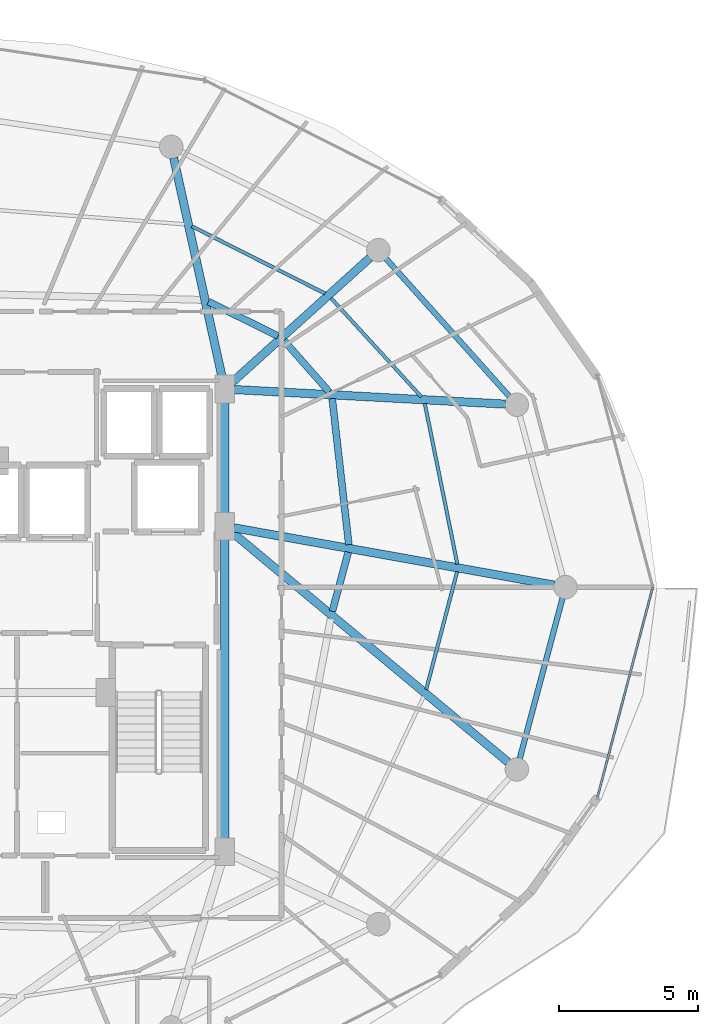
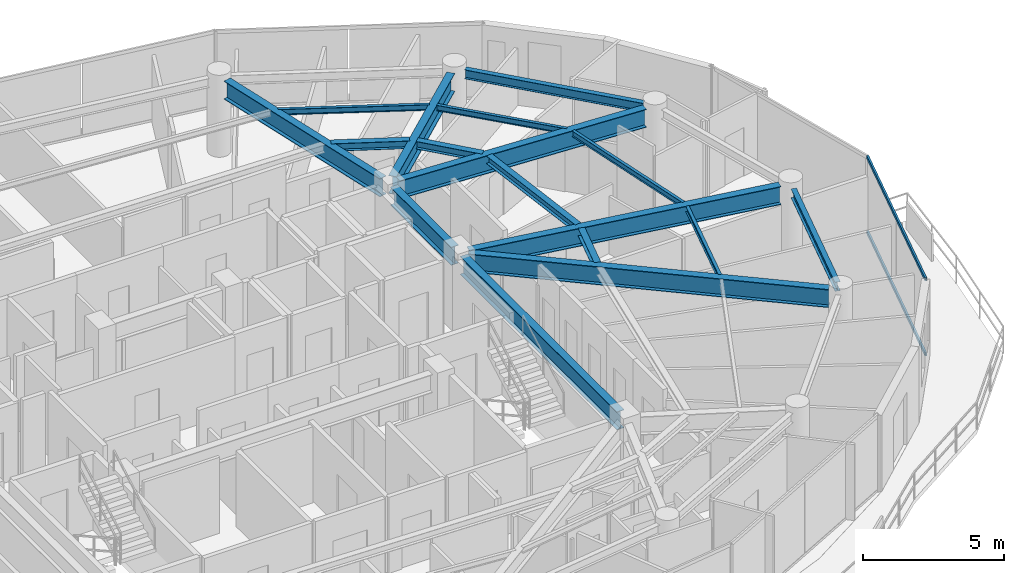
# One storey, part 13 of 29: 17 beams, 2 members, 1 element without a shape of its own.
"""IFC4 building model written with IfcOpenShell, lengths in metres."""

import ifcopenshell
import ifcopenshell.guid

model = None  # the IFC model being written
_history = None  # IfcOwnerHistory: only IFC2X3 demands one
_inside = {}  # id of a spatial element -> (the spatial element, [elements in it])
_under = {}  # id of a project, library or spatial element -> (it, [spatial elements below it])
_declared = {}  # id of a project -> (the project, [libraries it declares])
_typed = {}  # id of a type object -> (the type object, [elements of that type])
_made_of = {}  # id of a material, layer set ... -> (it, [elements and type objects made of it])


def new_model(schema):
    """Start an empty IFC model of exactly this schema.

    Asked for "IFC4X3", IfcOpenShell would pick the latest addendum, in which some entities
    have other attributes; the version numbers below select the first issue.
    IFC2X3 requires an IfcOwnerHistory on every rooted entity: one is made here for all.
    """
    global model, _history
    if schema == "IFC4X3":
        model = ifcopenshell.file(schema_version=(4, 3, 0, 0))
    else:
        model = ifcopenshell.file(schema=schema)
    _inside.clear()
    _under.clear()
    _declared.clear()
    _typed.clear()
    _made_of.clear()
    _history = None
    if model.schema == "IFC2X3":
        org = make("IfcOrganization", Name="unknown")
        user = make(
            "IfcPersonAndOrganization",
            ThePerson=make("IfcPerson", FamilyName="unknown"),
            TheOrganization=org,
        )
        app = make(
            "IfcApplication",
            ApplicationDeveloper=org,
            Version="unknown",
            ApplicationFullName="unknown",
            ApplicationIdentifier="unknown",
        )
        _history = make(
            "IfcOwnerHistory",
            OwningUser=user,
            OwningApplication=app,
            ChangeAction="ADDED",
            CreationDate=0,
        )
    return model


def make(cls, **values):
    """One entity of the class cls with the attributes given. An attribute that is None is left unset."""
    return model.create_entity(
        cls, **{name: value for name, value in values.items() if value is not None}
    )


def rooted(cls, **values):
    """An entity with a GlobalId (a new one), such as an element, a storey or a relation."""
    return make(cls, GlobalId=ifcopenshell.guid.new(), OwnerHistory=_history, **values)


def si_unit(unit_type, name, prefix=None):
    """IfcSIUnit, for example si_unit("LENGTHUNIT", "METRE", prefix="MILLI")."""
    return make("IfcSIUnit", UnitType=unit_type, Prefix=prefix, Name=name)


def assignment(units):
    """IfcUnitAssignment: the units of a project."""
    return None if units is None else make("IfcUnitAssignment", Units=units)


def point(xyz):
    """IfcCartesianPoint."""
    return None if xyz is None else make("IfcCartesianPoint", Coordinates=xyz)


def direction(xyz):
    """IfcDirection."""
    return None if xyz is None else make("IfcDirection", DirectionRatios=xyz)


def frame(location, z_axis=None, x_axis=None):
    """IfcAxis2Placement3D, a coordinate frame: its origin and axes. An axis left out is left unset."""
    return make(
        "IfcAxis2Placement3D",
        Location=point(location),
        Axis=direction(z_axis),
        RefDirection=direction(x_axis),
    )


def frame_2d(location, x_axis=None):
    """IfcAxis2Placement2D, a coordinate frame in the plane: its origin and x axis."""
    return make(
        "IfcAxis2Placement2D", Location=point(location), RefDirection=direction(x_axis)
    )


def origin():
    """The frame at (0, 0, 0) with its axes left unset."""
    return frame((0.0, 0.0, 0.0))


def origin_2d():
    """The frame at (0, 0) in the plane with its x axis left unset."""
    return frame_2d((0.0, 0.0))


def place(relative_to, where):
    """IfcLocalPlacement: puts the frame where relative to a parent placement (None: the world)."""
    return make(
        "IfcLocalPlacement", PlacementRelTo=relative_to, RelativePlacement=where
    )


def context(
    kind, dimensions, precision=None, world=None, true_north=None, identifier=None
):
    """IfcGeometricRepresentationContext, for example the 3D "Model" context."""
    return make(
        "IfcGeometricRepresentationContext",
        ContextIdentifier=identifier,
        ContextType=kind,
        CoordinateSpaceDimension=dimensions,
        Precision=precision,
        WorldCoordinateSystem=world,
        TrueNorth=true_north,
    )


def subcontext(parent, identifier, kind, view, scale=None):
    """IfcGeometricRepresentationSubContext, for example "Body" below "Model"."""
    return make(
        "IfcGeometricRepresentationSubContext",
        ContextIdentifier=identifier,
        ContextType=kind,
        ParentContext=parent,
        TargetScale=scale,
        TargetView=view,
    )


def project(units=None, contexts=None):
    """IfcProject with its units and contexts."""
    return rooted(
        "IfcProject",
        Name="project",
        RepresentationContexts=contexts,
        UnitsInContext=assignment(units),
    )


def spatial(cls, under=None, at=None, **own):
    """A site, building, storey or space (cls), placed at a placement, below another one or the project."""
    s = rooted(cls, ObjectPlacement=at, **own)
    if under is not None:
        _under.setdefault(under.id(), (under, []))[1].append(s)
    return s


def profile(cls, at=None, kind="AREA", **sizes):
    """A parametric profile (cls). Its sizes go by their IFC names, for example OverallWidth=200.0."""
    return make(cls, ProfileType=kind, Position=at, **sizes)


def hollow_rectangle(**sizes):
    """IfcRectangleHollowProfileDef."""
    return profile("IfcRectangleHollowProfileDef", **sizes)


def i_section(**sizes):
    """IfcIShapeProfileDef."""
    return profile("IfcIShapeProfileDef", **sizes)


def extrude(swept, where, along, depth):
    """IfcExtrudedAreaSolid: the profile swept, set in the frame where, extruded along a direction by depth."""
    return make(
        "IfcExtrudedAreaSolid",
        SweptArea=swept,
        Position=where,
        ExtrudedDirection=direction(along),
        Depth=depth,
    )


def shape(context_of_items, identifier, shape_type, items):
    """IfcShapeRepresentation: the items that make up one representation, for example the "Body"."""
    return make(
        "IfcShapeRepresentation",
        ContextOfItems=context_of_items,
        RepresentationIdentifier=identifier,
        RepresentationType=shape_type,
        Items=items,
    )


def material(Name=None, Category=None):
    """IfcMaterial."""
    return make("IfcMaterial", Name=Name, Category=Category)


def material_profile(
    of_material, cross_section, Name=None, Category=None, Priority=None
):
    """IfcMaterialProfile: a cross section and its material."""
    return make(
        "IfcMaterialProfile",
        Name=Name,
        Material=of_material,
        Profile=cross_section,
        Priority=Priority,
        Category=Category,
    )


def profile_set(profiles, Name=None, composite=None):
    """IfcMaterialProfileSet."""
    return make(
        "IfcMaterialProfileSet",
        Name=Name,
        MaterialProfiles=profiles,
        CompositeProfile=composite,
    )


def made_of(thing, what):
    """Note that an element or type object is made of a material, layer set ...; save() writes the relation."""
    if what is not None:
        _made_of.setdefault(what.id(), (what, []))[1].append(thing)
    return thing


def type_object(cls, material=None, **own):
    """A type object (cls), such as IfcWallType, which elements share."""
    return made_of(rooted(cls, **own), material)


def element(
    cls,
    number,
    at=None,
    inside=None,
    cuts=None,
    type_object=None,
    material=None,
    context=None,
    identifier="Body",
    shape_type=None,
    held_by="IfcProductDefinitionShape",
    body=None,
    shapes=None,
    **own,
):
    """One element of the class cls, such as IfcWall. Its Tag is "e" and its number.

    at: its placement. inside: the storey or other place that contains it. cuts: it is an
    opening in that element (IfcRelVoidsElement). A single representation is given by context,
    identifier, shape_type and body (its items); several are given by shapes. held_by: the class
    of the entity that holds the representations. save() writes the other relations.
    """
    e = rooted(cls, Tag="e%d" % number, ObjectPlacement=at, **own)
    if body is not None:
        shapes = [shape(context, identifier, shape_type, body)]
    if shapes is not None:
        e.Representation = make(held_by, Representations=shapes)
    if inside is not None:
        _inside.setdefault(inside.id(), (inside, []))[1].append(e)
    if cuts is not None:
        rooted(
            "IfcRelVoidsElement", RelatingBuildingElement=cuts, RelatedOpeningElement=e
        )
    if type_object is not None:
        _typed.setdefault(type_object.id(), (type_object, []))[1].append(e)
    return made_of(e, material)


def aggregate(whole, parts):
    """IfcRelAggregates: a whole, such as a stair, and the parts it consists of."""
    return rooted("IfcRelAggregates", RelatingObject=whole, RelatedObjects=parts)


def save(model, path):
    """Write the relations noted so far, then the file.

    IfcRelAggregates (storeys below a building ...), IfcRelContainedInSpatialStructure (elements
    in a storey), IfcRelDefinesByType, IfcRelAssociatesMaterial and IfcRelDeclares: one each for
    every whole, place, type object, material and project.
    """
    for whole, parts in _under.values():
        aggregate(whole, parts)
    for where, things in _inside.values():
        rooted(
            "IfcRelContainedInSpatialStructure",
            RelatedElements=things,
            RelatingStructure=where,
        )
    for kind, things in _typed.values():
        rooted("IfcRelDefinesByType", RelatedObjects=things, RelatingType=kind)
    for what, things in _made_of.values():
        rooted("IfcRelAssociatesMaterial", RelatedObjects=things, RelatingMaterial=what)
    for by, libraries in _declared.values():
        rooted("IfcRelDeclares", RelatingContext=by, RelatedDefinitions=libraries)
    model.write(path)


model = new_model("IFC4")

# Units and contexts
model_context = context("Model", 3, precision=1e-05, world=origin(), true_north=direction((0.0, 1.0)))
body_context = subcontext(model_context, "Body", "Model", "MODEL_VIEW")
ifc_project = project(units=[si_unit("LENGTHUNIT", "METRE"), si_unit("AREAUNIT", "SQUARE_METRE"), si_unit("VOLUMEUNIT", "CUBIC_METRE"), si_unit("PLANEANGLEUNIT", "RADIAN"), si_unit("MASSUNIT", "GRAM", prefix="KILO")], contexts=[model_context])

# Site, building, storey
site_placement = place(None, origin())
site = spatial("IfcSite", under=ifc_project, at=site_placement, CompositionType="ELEMENT")
building_placement = place(site_placement, origin())
building = spatial("IfcBuilding", under=site, at=building_placement, Name="Vorneva Point Tower", CompositionType="ELEMENT")
storey_placement = place(building_placement, frame((0.0, 0.0, 255.550048828125)))
storey = spatial("IfcBuildingStorey", under=building, at=storey_placement, Name="L69", CompositionType="ELEMENT", Elevation=255.550048828125)

# Beams
ifc_material_1 = material(Name="Steel S355", Category="steel")
ifc_material_profile_1 = material_profile(ifc_material_1, i_section(OverallWidth=0.300048828125, OverallDepth=0.7880859375, WebThickness=0.014404296875, FlangeThickness=0.02197265625, at=origin_2d()), Name="80Sh1")
ifc_profile_set_1 = profile_set([ifc_material_profile_1], Name="Steel S355")
beam_type_1 = type_object("IfcBeamType", Name="BM-GRD-80Sh1", PredefinedType="USERDEFINED", material=ifc_profile_set_1)
beam_1_placement = place(storey_placement, frame((60.6435546875, 26.07275390625, 2.89599609375), z_axis=(-0.9843788355, 0.17606336422, 0.0), x_axis=(-0.17606336422, -0.9843788355, 0.0)))
element("IfcBeam", 1, at=beam_1_placement, inside=storey, type_object=beam_type_1, Name="L69 Radial Primary Girder 01", ObjectType="GIRDER", PredefinedType="USERDEFINED", context=body_context, shape_type="SweptSolid", body=[
    extrude(i_section(OverallWidth=0.300048828125, OverallDepth=0.7880859375, WebThickness=0.014404296875, FlangeThickness=0.02197265625, at=origin_2d()), origin(), (0.0, 0.0, 1.0), 11.7421875),
])
beam_2_placement = place(storey_placement, frame((58.883056640625, 32.6044921875, 2.89599609375), z_axis=(-0.998554756376, 0.05374382308, 0.0), x_axis=(-0.05374382308, -0.998554756376, 0.0)))
element("IfcBeam", 2, at=beam_2_placement, inside=storey, type_object=beam_type_1, Name="L69 Radial Primary Girder 02", ObjectType="GIRDER", PredefinedType="USERDEFINED", context=body_context, shape_type="SweptSolid", body=[
    extrude(i_section(OverallWidth=0.300048828125, OverallDepth=0.7880859375, WebThickness=0.014404296875, FlangeThickness=0.02197265625, at=origin_2d()), origin(), (0.0, 0.0, 1.0), 9.8076171875),
])
beam_3_placement = place(storey_placement, frame((53.9921875, 37.885498046875, 2.89599609375), z_axis=(-0.7420671051, -0.670325601128, 0.0), x_axis=(0.670325601128, -0.7420671051, 0.0)))
element("IfcBeam", 3, at=beam_3_placement, inside=storey, type_object=beam_type_1, Name="L69 Radial Primary Girder 03", ObjectType="GIRDER", PredefinedType="USERDEFINED", context=body_context, shape_type="SweptSolid", body=[
    extrude(i_section(OverallWidth=0.300048828125, OverallDepth=0.7880859375, WebThickness=0.014404296875, FlangeThickness=0.02197265625, at=origin_2d()), origin(), (0.0, 0.0, 1.0), 6.724365234375),
])
beam_4_placement = place(storey_placement, frame((46.909912109375, 41.4873046875, 2.89599609375), z_axis=(0.215520742957, -0.976499262342, 0.0), x_axis=(0.976499262342, 0.215520742957, 0.0)))
element("IfcBeam", 4, at=beam_4_placement, inside=storey, type_object=beam_type_1, Name="L69 Radial Primary Girder 04", ObjectType="GIRDER", PredefinedType="USERDEFINED", context=body_context, shape_type="SweptSolid", body=[
    extrude(i_section(OverallWidth=0.300048828125, OverallDepth=0.7880859375, WebThickness=0.014404296875, FlangeThickness=0.02197265625, at=origin_2d()), origin(), (0.0, 0.0, 1.0), 8.197998046875),
])
beam_5_placement = place(storey_placement, frame((58.97802734375, 19.68212890625, 2.89599609375), z_axis=(-0.768424898021, 0.639939978515, 0.0), x_axis=(-0.639939978515, -0.768424898021, 0.0)))
element("IfcBeam", 5, at=beam_5_placement, inside=storey, type_object=beam_type_1, Name="L69 Radial Primary Girder 16", ObjectType="GIRDER", PredefinedType="USERDEFINED", context=body_context, shape_type="SweptSolid", body=[
    extrude(i_section(OverallWidth=0.300048828125, OverallDepth=0.7880859375, WebThickness=0.014404296875, FlangeThickness=0.02197265625, at=origin_2d()), origin(), (0.0, 0.0, 1.0), 12.970458984375),
])
beam_6_placement = place(storey_placement, frame((48.75, 16.77001953125, 2.89599609375), z_axis=(0.0, 1.0, 0.0), x_axis=(-1.0, 0.0, 0.0)))
element("IfcBeam", 6, at=beam_6_placement, inside=storey, type_object=beam_type_1, Name="L69 Core Tie Girder CT3", ObjectType="GIRDER", PredefinedType="USERDEFINED", context=body_context, shape_type="SweptSolid", body=[
    extrude(i_section(OverallWidth=0.300048828125, OverallDepth=0.7880859375, WebThickness=0.014404296875, FlangeThickness=0.02197265625, at=origin_2d()), origin(), (0.0, 0.0, 1.0), 11.10986328125),
])
beam_7_placement = place(storey_placement, frame((48.75, 28.52001953125, 2.89599609375), z_axis=(0.0, 1.0, 0.0), x_axis=(-1.0, 0.0, 0.0)))
element("IfcBeam", 7, at=beam_7_placement, inside=storey, type_object=beam_type_1, Name="L69 Core Tie Girder CT4", ObjectType="GIRDER", PredefinedType="USERDEFINED", context=body_context, shape_type="SweptSolid", body=[
    extrude(i_section(OverallWidth=0.300048828125, OverallDepth=0.7880859375, WebThickness=0.014404296875, FlangeThickness=0.02197265625, at=origin_2d()), origin(), (0.0, 0.0, 1.0), 4.31005859375),
])
ifc_material_profile_2 = material_profile(ifc_material_1, i_section(OverallWidth=0.1240234375, OverallDepth=0.248046875, WebThickness=0.0048828125, FlangeThickness=0.008056640625, at=origin_2d()), Name="25B1")
ifc_profile_set_2 = profile_set([ifc_material_profile_2], Name="Steel S355")
beam_type_2 = type_object("IfcBeamType", Name="BM-JST-25B1", PredefinedType="JOIST", material=ifc_profile_set_2)
beam_8_placement = place(storey_placement, frame((57.1484375, 26.828125, 3.166015625), z_axis=(-0.198749723776, 0.980050277944, 0.0), x_axis=(-0.980050277944, -0.198749723776, 0.0)))
element("IfcBeam", 8, at=beam_8_placement, inside=storey, type_object=beam_type_2, Name="L69 Secondary Floor Beam 1.01", PredefinedType="JOIST", context=body_context, shape_type="SweptSolid", body=[
    extrude(i_section(OverallWidth=0.1240234375, OverallDepth=0.248046875, WebThickness=0.0048828125, FlangeThickness=0.008056640625, at=origin_2d()), origin(), (0.0, 0.0, 1.0), 5.917236328125),
])
beam_9_placement = place(storey_placement, frame((55.851806640625, 32.864501953125, 3.166015625), z_axis=(-0.675024574834, 0.737795244881, 0.0), x_axis=(-0.737795244881, -0.675024574834, 0.0)))
element("IfcBeam", 9, at=beam_9_placement, inside=storey, type_object=beam_type_2, Name="L69 Secondary Floor Beam 1.02", PredefinedType="JOIST", context=body_context, shape_type="SweptSolid", body=[
    extrude(i_section(OverallWidth=0.1240234375, OverallDepth=0.248046875, WebThickness=0.0048828125, FlangeThickness=0.008056640625, at=origin_2d()), origin(), (0.0, 0.0, 1.0), 4.83447265625),
])
beam_10_placement = place(storey_placement, frame((52.3720703125, 36.595458984375, 3.166015625), z_axis=(-0.892661963026, 0.450726768416, 0.0), x_axis=(-0.450726768416, -0.892661963026, 0.0)))
element("IfcBeam", 10, at=beam_10_placement, inside=storey, type_object=beam_type_2, Name="L69 Secondary Floor Beam 1.03", PredefinedType="JOIST", context=body_context, shape_type="SweptSolid", body=[
    extrude(i_section(OverallWidth=0.1240234375, OverallDepth=0.248046875, WebThickness=0.0048828125, FlangeThickness=0.008056640625, at=origin_2d()), origin(), (0.0, 0.0, 1.0), 5.387451171875),
])
beam_11_placement = place(storey_placement, frame((56.023193359375, 22.3056640625, 3.166015625), z_axis=(0.25411622729, 0.967173688139, 0.0), x_axis=(-0.967173688139, 0.25411622729, 0.0)))
element("IfcBeam", 11, at=beam_11_placement, inside=storey, type_object=beam_type_2, Name="L69 Secondary Floor Beam 1.16", PredefinedType="JOIST", context=body_context, shape_type="SweptSolid", body=[
    extrude(i_section(OverallWidth=0.1240234375, OverallDepth=0.248046875, WebThickness=0.0048828125, FlangeThickness=0.008056640625, at=origin_2d()), origin(), (0.0, 0.0, 1.0), 4.398193359375),
])
ifc_material_profile_3 = material_profile(ifc_material_1, i_section(OverallWidth=0.2490234375, OverallDepth=0.333984375, WebThickness=0.008056640625, FlangeThickness=0.010986328125, at=origin_2d()), Name="35Sh1")
ifc_profile_set_3 = profile_set([ifc_material_profile_3], Name="Steel S355")
beam_type_3 = type_object("IfcBeamType", Name="BM-SEC-35Sh1", PredefinedType="BEAM", material=ifc_profile_set_3)
beam_12_placement = place(storey_placement, frame((53.230224609375, 27.532958984375, 3.123046875), z_axis=(-0.11296647315, 0.993598800293, 0.0), x_axis=(-0.993598800293, -0.11296647315, 0.0)))
element("IfcBeam", 12, at=beam_12_placement, inside=storey, type_object=beam_type_3, Name="L69 Secondary Floor Beam 2.01", PredefinedType="BEAM", context=body_context, shape_type="SweptSolid", body=[
    extrude(i_section(OverallWidth=0.2490234375, OverallDepth=0.333984375, WebThickness=0.008056640625, FlangeThickness=0.010986328125, at=origin_2d()), origin(), (0.0, 0.0, 1.0), 5.3056640625),
])
beam_13_placement = place(storey_placement, frame((52.52392578125, 33.04541015625, 3.123046875), z_axis=(-0.661641254141, 0.749820545743, 0.0), x_axis=(-0.749820545743, -0.661641254141, 0.0)))
element("IfcBeam", 13, at=beam_13_placement, inside=storey, type_object=beam_type_3, Name="L69 Secondary Floor Beam 2.02", PredefinedType="BEAM", context=body_context, shape_type="SweptSolid", body=[
    extrude(i_section(OverallWidth=0.2490234375, OverallDepth=0.333984375, WebThickness=0.008056640625, FlangeThickness=0.010986328125, at=origin_2d()), origin(), (0.0, 0.0, 1.0), 2.4697265625),
])
beam_14_placement = place(storey_placement, frame((50.675048828125, 35.061767578125, 3.123046875), z_axis=(-0.896474982162, 0.443094353786, 0.0), x_axis=(-0.443094353786, -0.896474982162, 0.0)))
element("IfcBeam", 14, at=beam_14_placement, inside=storey, type_object=beam_type_3, Name="L69 Secondary Floor Beam 2.03", PredefinedType="BEAM", context=body_context, shape_type="SweptSolid", body=[
    extrude(i_section(OverallWidth=0.2490234375, OverallDepth=0.333984375, WebThickness=0.008056640625, FlangeThickness=0.010986328125, at=origin_2d()), origin(), (0.0, 0.0, 1.0), 2.80078125),
])
beam_15_placement = place(storey_placement, frame((52.63525390625, 25.12744140625, 3.123046875), z_axis=(0.259902201987, 0.96563494417, 0.0), x_axis=(-0.96563494417, 0.259902201987, 0.0)))
element("IfcBeam", 15, at=beam_15_placement, inside=storey, type_object=beam_type_3, Name="L69 Secondary Floor Beam 2.16", PredefinedType="BEAM", context=body_context, shape_type="SweptSolid", body=[
    extrude(i_section(OverallWidth=0.2490234375, OverallDepth=0.333984375, WebThickness=0.008056640625, FlangeThickness=0.010986328125, at=origin_2d()), origin(), (0.0, 0.0, 1.0), 2.211181640625),
])
ifc_material_profile_4 = material_profile(ifc_material_1, i_section(OverallWidth=0.198974609375, OverallDepth=0.39599609375, WebThickness=0.007080078125, FlangeThickness=0.010986328125, at=origin_2d()), Name="40B1")
ifc_profile_set_4 = profile_set([ifc_material_profile_4], Name="Steel S355")
beam_type_4 = type_object("IfcBeamType", Name="BM-SPN-40B1", PredefinedType="SPANDREL", material=ifc_profile_set_4)
beam_16_placement = place(storey_placement, frame((59.02197265625, 32.8876953125, 3.092041015625), z_axis=(-0.667108282638, 0.744960763554, 0.0), x_axis=(-0.744960763554, -0.667108282638, 0.0)))
element("IfcBeam", 16, at=beam_16_placement, inside=storey, type_object=beam_type_4, Name="L69 Perimeter Spandrel Ring Beam 02", PredefinedType="SPANDREL", context=body_context, shape_type="SweptSolid", body=[
    extrude(i_section(OverallWidth=0.198974609375, OverallDepth=0.39599609375, WebThickness=0.007080078125, FlangeThickness=0.010986328125, at=origin_2d()), origin(), (0.0, 0.0, 1.0), 6.670166015625),
])
beam_17_placement = place(storey_placement, frame((59.40087890625, 19.81396484375, 3.092041015625), z_axis=(0.257586570866, 0.966255224312, 0.0), x_axis=(-0.966255224312, 0.257586570866, 0.0)))
element("IfcBeam", 17, at=beam_17_placement, inside=storey, type_object=beam_type_4, Name="L69 Perimeter Spandrel Ring Beam 16", PredefinedType="SPANDREL", context=body_context, shape_type="SweptSolid", body=[
    extrude(i_section(OverallWidth=0.198974609375, OverallDepth=0.39599609375, WebThickness=0.007080078125, FlangeThickness=0.010986328125, at=origin_2d()), origin(), (0.0, 0.0, 1.0), 5.991943359375),
])

# Curtain wall, members
ifc_material_2 = material(Name="Pale anodised aluminium", Category="aluminium")
curtain_wall_type = type_object("IfcCurtainWallType", Name="CW-RES-SYS", PredefinedType="NOTDEFINED", material=ifc_material_2)
curtain_wall_placement = place(storey_placement, origin())
curtain_wall = element("IfcCurtainWall", 18, at=curtain_wall_placement, inside=storey, type_object=curtain_wall_type, Name="L69 Unitised Curtain Wall CW-L69-R01", PredefinedType="NOTDEFINED")
ifc_material_profile_5 = material_profile(ifc_material_2, hollow_rectangle(XDim=0.074951171875, YDim=0.14990234375, WallThickness=0.00390625, at=origin_2d()), Name="AL-TRN 150x75x4")
ifc_profile_set_5 = profile_set([ifc_material_profile_5], Name="Pale anodised aluminium")
member_type = type_object("IfcMemberType", Name="CW-TRN-150", PredefinedType="USERDEFINED", material=ifc_profile_set_5)
member_1_placement = place(storey_placement, frame((62.20556640625, 18.4189453125, 0.02001953125), z_axis=(0.254418180926, 0.967094302131, 0.0), x_axis=(-0.967094302131, 0.254418180926, 0.0)))
member_1 = element("IfcMember", 19, at=member_1_placement, type_object=member_type, Name="CW-L69-R01 Transom 01.1", ObjectType="TRANSOM", PredefinedType="USERDEFINED", context=body_context, shape_type="SweptSolid", body=[
    extrude(hollow_rectangle(XDim=0.074951171875, YDim=0.14990234375, WallThickness=0.00390625, at=origin_2d()), origin(), (0.0, 0.0, 1.0), 7.839111328125),
])
member_2_placement = place(storey_placement, frame((62.20556640625, 18.4189453125, 3.27001953125), z_axis=(0.254418180926, 0.967094302131, 0.0), x_axis=(-0.967094302131, 0.254418180926, 0.0)))
member_2 = element("IfcMember", 20, at=member_2_placement, type_object=member_type, Name="CW-L69-R01 Transom 01.2", ObjectType="TRANSOM", PredefinedType="USERDEFINED", context=body_context, shape_type="SweptSolid", body=[
    extrude(hollow_rectangle(XDim=0.074951171875, YDim=0.14990234375, WallThickness=0.00390625, at=origin_2d()), origin(), (0.0, 0.0, 1.0), 7.839111328125),
])
aggregate(curtain_wall, [member_1, member_2])

save(model, "model.ifc")
